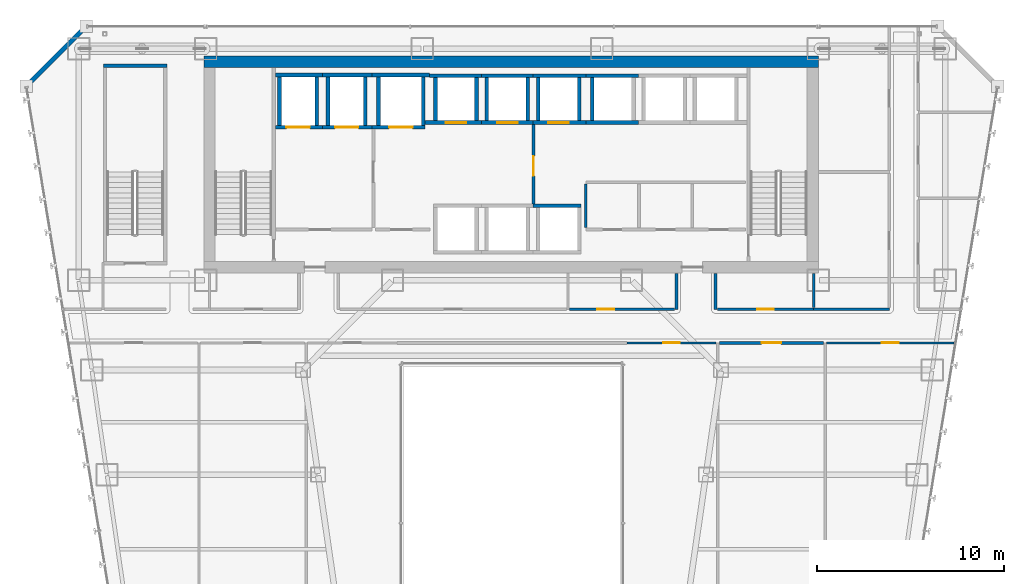
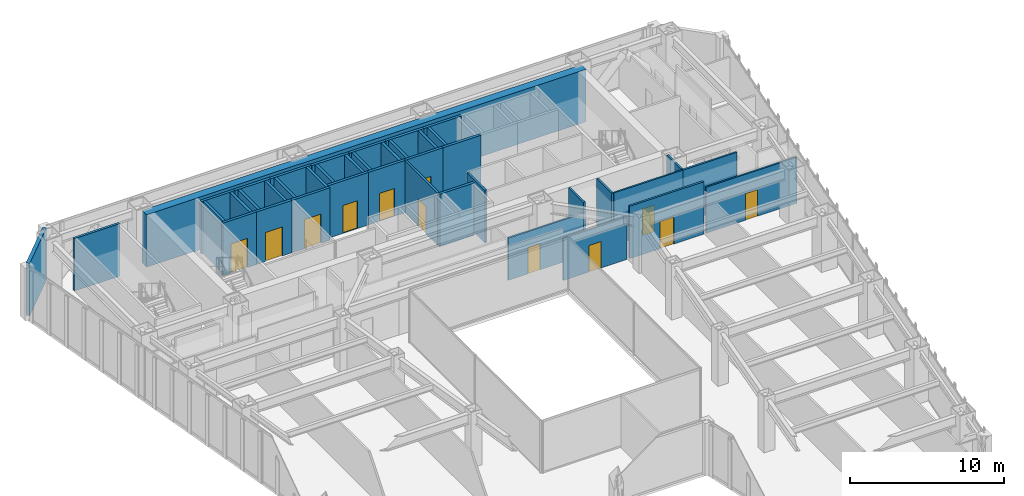
# One storey, part 37 of 49: 42 walls, 12 doors, 12 openings.
"""IFC4 building model written with IfcOpenShell, lengths in metres."""

from ifc_helpers import new_model, si_unit, direction, frame, frame_2d, origin, place, context, subcontext, project, spatial, rectangle, extrude, material, layer, layer_set, type_object, element, fill, save


model = new_model("IFC4")

# Units and contexts
model_context = context("Model", 3, precision=1e-05, world=origin(), true_north=direction((0.0, 1.0)))
body_context = subcontext(model_context, "Body", "Model", "MODEL_VIEW")
ifc_project = project(units=[si_unit("LENGTHUNIT", "METRE"), si_unit("AREAUNIT", "SQUARE_METRE"), si_unit("VOLUMEUNIT", "CUBIC_METRE"), si_unit("PLANEANGLEUNIT", "RADIAN"), si_unit("MASSUNIT", "GRAM", prefix="KILO")], contexts=[model_context])

# Site, building, storey
site_placement = place(None, origin())
site = spatial("IfcSite", under=ifc_project, at=site_placement, CompositionType="ELEMENT")
building_placement = place(site_placement, origin())
building = spatial("IfcBuilding", under=site, at=building_placement, Name="Saevonmaru Cultural Tower", CompositionType="ELEMENT")
storey_placement = place(building_placement, frame((0.0, 0.0, 73.60009765625)))
storey = spatial("IfcBuildingStorey", under=building, at=storey_placement, Name="L15", CompositionType="ELEMENT", Elevation=73.60009765625)

# Wall
ifc_material_1 = material(Name="Concrete C60/75", Category="concrete")
ifc_layer_1 = layer(ifc_material_1, 0.60009765625, Name="Concrete C60/75")
ifc_layer_set_1 = layer_set([ifc_layer_1], Name="Concrete C60/75")
wall_type_1 = type_object("IfcWallType", Name="WL-CORE-600", PredefinedType="SHEAR", material=ifc_layer_set_1)
wall_1_placement = place(storey_placement, frame((13.5, 54.10009765625, 0.0), z_axis=(0.0, 0.0, 1.0), x_axis=(1.0, 0.0, 0.0)))
element("IfcWall", 1, at=wall_1_placement, inside=storey, type_object=wall_type_1, Name="L15 Tower RC core shear wall N", PredefinedType="SHEAR", context=body_context, shape_type="SweptSolid", body=[
    extrude(rectangle(XDim=32.89990234375, YDim=0.60009765625, at=frame_2d((16.449951171875, 0.0))), origin(), (0.0, 0.0, 1.0), 4.14990234375),
])

# Wall, opening, door
ifc_material_2 = material(Name="Gypsum Fireboard Partition", Category="gypsum")
ifc_layer_2 = layer(ifc_material_2, 0.14990234375, Name="Gypsum Fireboard Partition")
ifc_layer_set_2 = layer_set([ifc_layer_2], Name="Gypsum Fireboard Partition")
wall_type_2 = type_object("IfcWallType", Name="WL-CORE-PART-150", PredefinedType="PARTITIONING", material=ifc_layer_set_2)
wall_2_placement = place(storey_placement, frame((31.14990234375, 46.5, 0.0), z_axis=(0.0, 0.0, 1.0), x_axis=(0.0, 1.0, 0.0)))
wall_2 = element("IfcWall", 2, at=wall_2_placement, inside=storey, type_object=wall_type_2, Name="L15 Lift Zone Baffle 1", PredefinedType="PARTITIONING", context=body_context, shape_type="SweptSolid", body=[
    extrude(rectangle(XDim=4.25, YDim=0.14990234375, at=frame_2d((2.125, 0.0))), origin(), (0.0, 0.0, 1.0), 4.14990234375),
])
opening_1_placement = place(wall_2_placement, frame((1.5, 0.0, 0.0)))
opening_1 = element("IfcOpeningElement", 3, at=opening_1_placement, cuts=wall_2, Name="Opening ID-1", PredefinedType="OPENING", context=body_context, shape_type="SweptSolid", body=[
    extrude(rectangle(XDim=1.050048828125, YDim=2.14990234375, at=frame_2d((0.52490234375, 1.074951171875))), frame((0.0, 0.0849609375, 0.0), z_axis=(0.0, -1.0, 0.0), x_axis=(1.0, 0.0, 0.0)), (0.0, 0.0, 1.0), 0.169921875),
])
ifc_material_3 = material(Name="Satin Bronze Anodised Aluminium", Category="aluminium")
door_type_1 = type_object("IfcDoorType", Name="DR-INT-1050", OperationType="SINGLE_SWING_LEFT", PredefinedType="DOOR", material=ifc_material_3)
door_1_placement = place(opening_1_placement, origin())
door_1 = element("IfcDoor", 4, at=door_1_placement, inside=storey, type_object=door_type_1, Name="L15 West-Mid Lobby Portal", OperationType="SINGLE_SWING_LEFT", OverallHeight=2.14990234375, OverallWidth=1.050048828125, PredefinedType="DOOR", context=body_context, shape_type="SweptSolid", body=[
    extrude(rectangle(XDim=1.050048828125, YDim=2.14990234375, at=frame_2d((0.52490234375, 1.074951171875))), frame((0.0, 0.02490234375, 0.0), z_axis=(0.0, -1.0, 0.0), x_axis=(1.0, 0.0, 0.0)), (0.0, 0.0, 1.0), 0.050048828125),
])
fill(opening_1, door_1)

# Walls
wall_3_placement = place(storey_placement, frame((33.949951171875, 45.219970703125, 0.0), z_axis=(0.0, 0.0, 1.0), x_axis=(0.0, 1.0, 0.0)))
element("IfcWall", 5, at=wall_3_placement, inside=storey, type_object=wall_type_2, Name="L15 Core Utility West Wall", PredefinedType="PARTITIONING", context=body_context, shape_type="SweptSolid", body=[
    extrude(rectangle(XDim=2.330078125, YDim=0.14990234375, at=frame_2d((1.1650390625, 0.0))), origin(), (0.0, 0.0, 1.0), 4.14990234375),
])
ifc_material_4 = material(Name="Granite-Clad Precast Concrete C40/50", Category="masonry")
ifc_layer_3 = layer(ifc_material_4, 0.260009765625, Name="Granite-Clad Precast Concrete C40/50")
ifc_layer_set_3 = layer_set([ifc_layer_3], Name="Granite-Clad Precast Concrete C40/50")
wall_type_3 = type_object("IfcWallType", Name="WL-EXT-SPANDREL-260", PredefinedType="STANDARD", material=ifc_layer_set_3)
wall_4_placement = place(storey_placement, frame((7.0869140625, 55.886962890625, 0.0), z_axis=(0.0, 0.0, 1.0), x_axis=(-0.707106781187, -0.707106781187, 0.0)))
element("IfcWall", 6, at=wall_4_placement, inside=storey, type_object=wall_type_3, Name="L15 Chamfer Corner Spandrel Wall E11", PredefinedType="STANDARD", context=body_context, shape_type="SweptSolid", body=[
    extrude(rectangle(XDim=4.205810546875, YDim=0.260009765625, at=frame_2d((2.10302734375, 0.0))), origin(), (0.0, 0.0, 1.0), 4.14990234375),
])
ifc_layer_4 = layer(ifc_material_2, 0.14990234375, Name="Gypsum Fireboard Partition")
ifc_layer_set_4 = layer_set([ifc_layer_4], Name="Gypsum Fireboard Partition")
wall_type_4 = type_object("IfcWallType", Name="WL-PART-FIRE-150", PredefinedType="PARTITIONING", material=ifc_layer_set_4)
for number, where, z_axis, x_axis, name in (
    (7, (38.800048828125, 40.85009765625, 0.0), (0.0, 0.0, 1.0), (0.0, 1.0, 0.0), "L15 Core Portal Side Wall E1"),
    (8, (40.89990234375, 40.85009765625, 0.0), (0.0, 0.0, 1.0), (0.0, 1.0, 0.0), "L15 Core Portal Side Wall E2"),
):
    element("IfcWall", number, at=place(storey_placement, frame(where, z_axis=z_axis, x_axis=x_axis)), inside=storey, type_object=wall_type_4, Name=name, PredefinedType="PARTITIONING", context=body_context, shape_type="SweptSolid", body=[
        extrude(rectangle(XDim=1.929931640625, YDim=0.14990234375, at=frame_2d((0.96484375, 0.0))), origin(), (0.0, 0.0, 1.0), 4.14990234375),
    ])

# Wall, opening, door
wall_5_placement = place(storey_placement, frame((41.107421875, 39.050048828125, 0.0), z_axis=(0.0, 0.0, 1.0), x_axis=(1.0, 0.0, 0.0)))
wall_5 = element("IfcWall", 9, at=wall_5_placement, inside=storey, type_object=wall_type_4, Name="L15 Sky Observatory Gallery Corridor Wall", PredefinedType="PARTITIONING", context=body_context, shape_type="SweptSolid", body=[
    extrude(rectangle(XDim=5.565185546875, YDim=0.14990234375, at=frame_2d((2.78271484375, 0.0))), origin(), (0.0, 0.0, 1.0), 4.14990234375),
])
opening_2_placement = place(wall_5_placement, frame((2.257080078125, 0.0, 0.0)))
opening_2 = element("IfcOpeningElement", 10, at=opening_2_placement, cuts=wall_5, Name="Opening ID-1", PredefinedType="OPENING", context=body_context, shape_type="SweptSolid", body=[
    extrude(rectangle(XDim=1.050048828125, YDim=2.14990234375, at=frame_2d((0.52490234375, 1.074951171875))), frame((0.0, 0.0849609375, 0.0), z_axis=(0.0, -1.0, 0.0), x_axis=(1.0, 0.0, 0.0)), (0.0, 0.0, 1.0), 0.169921875),
])
door_2_placement = place(opening_2_placement, origin())
door_2 = element("IfcDoor", 11, at=door_2_placement, inside=storey, type_object=door_type_1, Name="L15 Sky Observatory Gallery Door", OperationType="SINGLE_SWING_LEFT", OverallHeight=2.14990234375, OverallWidth=1.050048828125, PredefinedType="DOOR", context=body_context, shape_type="SweptSolid", body=[
    extrude(rectangle(XDim=1.050048828125, YDim=2.14990234375, at=frame_2d((0.52490234375, 1.074951171875))), frame((0.0, 0.02490234375, 0.0), z_axis=(0.0, -1.0, 0.0), x_axis=(1.0, 0.0, 0.0)), (0.0, 0.0, 1.0), 0.050048828125),
])
fill(opening_2, door_2)

ifc_layer_5 = layer(ifc_material_2, 0.1201171875, Name="Gypsum Fireboard Partition")
ifc_layer_set_5 = layer_set([ifc_layer_5], Name="Gypsum Fireboard Partition")
wall_type_5 = type_object("IfcWallType", Name="WL-PART-GYP-120", PredefinedType="PARTITIONING", material=ifc_layer_set_5)
wall_6_placement = place(storey_placement, frame((33.080078125, 40.85009765625, 0.0), z_axis=(0.0, 0.0, 1.0), x_axis=(1.0, 0.0, 0.0)))
wall_6 = element("IfcWall", 12, at=wall_6_placement, inside=storey, type_object=wall_type_5, Name="L15 Civic Policy Meeting Room Corridor Wall", PredefinedType="PARTITIONING", context=body_context, shape_type="SweptSolid", body=[
    extrude(rectangle(XDim=5.625, YDim=0.1201171875, at=frame_2d((2.8125, 0.0))), origin(), (0.0, 0.0, 1.0), 3.3349609375),
])
opening_3_placement = place(wall_6_placement, frame((1.48291015625, 0.0, 0.0)))
opening_3 = element("IfcOpeningElement", 13, at=opening_3_placement, cuts=wall_6, Name="Opening ID-2", PredefinedType="OPENING", context=body_context, shape_type="SweptSolid", body=[
    extrude(rectangle(XDim=0.89990234375, YDim=2.10009765625, at=frame_2d((0.449951171875, 1.050048828125))), frame((0.0, 0.070068359375, 0.0), z_axis=(0.0, -1.0, 0.0), x_axis=(1.0, 0.0, 0.0)), (0.0, 0.0, 1.0), 0.14013671875),
])
ifc_material_5 = material(Name="Acoustic Stained Oak Timber", Category="wood")
door_type_2 = type_object("IfcDoorType", Name="DR-INT-900", OperationType="SINGLE_SWING_RIGHT", PredefinedType="DOOR", material=ifc_material_5)
door_3_placement = place(opening_3_placement, origin())
door_3 = element("IfcDoor", 14, at=door_3_placement, inside=storey, type_object=door_type_2, Name="L15 Civic Policy Meeting Room Door", OperationType="SINGLE_SWING_LEFT", OverallHeight=2.10009765625, OverallWidth=0.89990234375, PredefinedType="DOOR", context=body_context, shape_type="SweptSolid", body=[
    extrude(rectangle(XDim=0.89990234375, YDim=2.10009765625, at=frame_2d((0.449951171875, 1.050048828125))), frame((0.0, 0.02490234375, 0.0), z_axis=(0.0, -1.0, 0.0), x_axis=(1.0, 0.0, 0.0)), (0.0, 0.0, 1.0), 0.050048828125),
])
fill(opening_3, door_3)

wall_7_placement = place(storey_placement, frame((40.9951171875, 40.85009765625, 0.0), z_axis=(0.0, 0.0, 1.0), x_axis=(1.0, 0.0, 0.0)))
wall_7 = element("IfcWall", 15, at=wall_7_placement, inside=storey, type_object=wall_type_5, Name="L15 Typography Design Classroom Corridor Wall", PredefinedType="PARTITIONING", context=body_context, shape_type="SweptSolid", body=[
    extrude(rectangle(XDim=5.15478515625, YDim=0.1201171875, at=frame_2d((2.577392578125, 0.0))), origin(), (0.0, 0.0, 1.0), 4.14990234375),
])
opening_4_placement = place(wall_7_placement, frame((2.1279296875, 0.0, 0.0)))
opening_4 = element("IfcOpeningElement", 16, at=opening_4_placement, cuts=wall_7, Name="Opening ID-2", PredefinedType="OPENING", context=body_context, shape_type="SweptSolid", body=[
    extrude(rectangle(XDim=0.89990234375, YDim=2.10009765625, at=frame_2d((0.449951171875, 1.050048828125))), frame((0.0, 0.070068359375, 0.0), z_axis=(0.0, -1.0, 0.0), x_axis=(1.0, 0.0, 0.0)), (0.0, 0.0, 1.0), 0.14013671875),
])
door_4_placement = place(opening_4_placement, origin())
door_4 = element("IfcDoor", 17, at=door_4_placement, inside=storey, type_object=door_type_2, Name="L15 Typography Design Classroom Door", OperationType="SINGLE_SWING_RIGHT", OverallHeight=2.10009765625, OverallWidth=0.89990234375, PredefinedType="DOOR", context=body_context, shape_type="SweptSolid", body=[
    extrude(rectangle(XDim=0.89990234375, YDim=2.10009765625, at=frame_2d((0.449951171875, 1.050048828125))), frame((0.0, 0.02490234375, 0.0), z_axis=(0.0, -1.0, 0.0), x_axis=(1.0, 0.0, 0.0)), (0.0, 0.0, 1.0), 0.050048828125),
])
fill(opening_4, door_4)

wall_8_placement = place(storey_placement, frame((36.14990234375, 39.050048828125, 0.0), z_axis=(0.0, 0.0, 1.0), x_axis=(1.0, 0.0, 0.0)))
wall_8 = element("IfcWall", 18, at=wall_8_placement, inside=storey, type_object=wall_type_5, Name="L15 Typography Design Classroom Corridor Wall", PredefinedType="PARTITIONING", context=body_context, shape_type="SweptSolid", body=[
    extrude(rectangle(XDim=4.78271484375, YDim=0.1201171875, at=frame_2d((2.391357421875, 0.0))), origin(), (0.0, 0.0, 1.0), 3.3349609375),
])
opening_5_placement = place(wall_8_placement, frame((1.94091796875, 0.0, 0.0)))
opening_5 = element("IfcOpeningElement", 19, at=opening_5_placement, cuts=wall_8, Name="Opening ID-2", PredefinedType="OPENING", context=body_context, shape_type="SweptSolid", body=[
    extrude(rectangle(XDim=0.89990234375, YDim=2.10009765625, at=frame_2d((0.449951171875, 1.050048828125))), frame((0.0, 0.070068359375, 0.0), z_axis=(0.0, -1.0, 0.0), x_axis=(1.0, 0.0, 0.0)), (0.0, 0.0, 1.0), 0.14013671875),
])
door_5_placement = place(opening_5_placement, origin())
door_5 = element("IfcDoor", 20, at=door_5_placement, inside=storey, type_object=door_type_2, Name="L15 Typography Design Classroom Door", OperationType="SINGLE_SWING_RIGHT", OverallHeight=2.10009765625, OverallWidth=0.89990234375, PredefinedType="DOOR", context=body_context, shape_type="SweptSolid", body=[
    extrude(rectangle(XDim=0.89990234375, YDim=2.10009765625, at=frame_2d((0.449951171875, 1.050048828125))), frame((0.0, 0.02490234375, 0.0), z_axis=(0.0, -1.0, 0.0), x_axis=(1.0, 0.0, 0.0)), (0.0, 0.0, 1.0), 0.050048828125),
])
fill(opening_5, door_5)

wall_9_placement = place(storey_placement, frame((46.847412109375, 39.050048828125, 0.0), z_axis=(0.0, 0.0, 1.0), x_axis=(1.0, 0.0, 0.0)))
wall_9 = element("IfcWall", 21, at=wall_9_placement, inside=storey, type_object=wall_type_5, Name="L15 Civic Policy Meeting Room Corridor Wall", PredefinedType="PARTITIONING", context=body_context, shape_type="SweptSolid", body=[
    extrude(rectangle(XDim=6.80419921875, YDim=0.1201171875, at=frame_2d((3.402099609375, 0.0))), origin(), (0.0, 0.0, 1.0), 3.635009765625),
])
opening_6_placement = place(wall_9_placement, frame((2.951904296875, 0.0, 0.0)))
opening_6 = element("IfcOpeningElement", 22, at=opening_6_placement, cuts=wall_9, Name="Opening ID-2", PredefinedType="OPENING", context=body_context, shape_type="SweptSolid", body=[
    extrude(rectangle(XDim=0.89990234375, YDim=2.10009765625, at=frame_2d((0.449951171875, 1.050048828125))), frame((0.0, 0.070068359375, 0.0), z_axis=(0.0, -1.0, 0.0), x_axis=(1.0, 0.0, 0.0)), (0.0, 0.0, 1.0), 0.14013671875),
])
door_6_placement = place(opening_6_placement, origin())
door_6 = element("IfcDoor", 23, at=door_6_placement, inside=storey, type_object=door_type_2, Name="L15 Civic Policy Meeting Room Door", OperationType="SINGLE_SWING_RIGHT", OverallHeight=2.10009765625, OverallWidth=0.89990234375, PredefinedType="DOOR", context=body_context, shape_type="SweptSolid", body=[
    extrude(rectangle(XDim=0.89990234375, YDim=2.10009765625, at=frame_2d((0.449951171875, 1.050048828125))), frame((0.0, 0.02490234375, 0.0), z_axis=(0.0, -1.0, 0.0), x_axis=(1.0, 0.0, 0.0)), (0.0, 0.0, 1.0), 0.050048828125),
])
fill(opening_6, door_6)

# Walls
ifc_layer_6 = layer(ifc_material_2, 0.139892578125, Name="Gypsum Fireboard Partition")
ifc_layer_set_6 = layer_set([ifc_layer_6], Name="Gypsum Fireboard Partition")
wall_type_6 = type_object("IfcWallType", Name="WL-PART-WET-140", PredefinedType="PARTITIONING", material=ifc_layer_set_6)
wall_10_placement = place(storey_placement, frame((46.14990234375, 40.85009765625, 0.0), z_axis=(0.0, 0.0, 1.0), x_axis=(1.0, 0.0, 0.0)))
element("IfcWall", 24, at=wall_10_placement, inside=storey, type_object=wall_type_6, Name="L15 Washroom South Wall", PredefinedType="PARTITIONING", context=body_context, shape_type="SweptSolid", body=[
    extrude(rectangle(XDim=4.050048828125, YDim=0.139892578125, at=frame_2d((2.02490234375, 0.0))), origin(), (0.0, 0.0, 1.0), 4.14990234375),
])
wall_11_placement = place(storey_placement, frame((46.14990234375, 40.93994140625, 0.0), z_axis=(0.0, 0.0, 1.0), x_axis=(0.0, 1.0, 0.0)))
element("IfcWall", 25, at=wall_11_placement, inside=storey, type_object=wall_type_6, Name="L15 Washroom South-West Return", PredefinedType="PARTITIONING", context=body_context, shape_type="SweptSolid", body=[
    extrude(rectangle(XDim=1.840087890625, YDim=0.139892578125, at=frame_2d((0.919921875, 0.0))), origin(), (0.0, 0.0, 1.0), 4.14990234375),
])

# Wall, opening, door
ifc_material_6 = material(Name="Concrete C40/50", Category="concrete")
ifc_layer_7 = layer(ifc_material_6, 0.199951171875, Name="Concrete C40/50")
ifc_layer_set_7 = layer_set([ifc_layer_7], Name="Concrete C40/50")
wall_type_7 = type_object("IfcWallType", Name="WL-SHAFT-200", PredefinedType="SHEAR", material=ifc_layer_set_7)
wall_12_placement = place(storey_placement, frame((17.330078125, 50.60009765625, 0.0), z_axis=(0.0, 0.0, 1.0), x_axis=(1.0, 0.0, 0.0)))
wall_12 = element("IfcWall", 26, at=wall_12_placement, inside=storey, type_object=wall_type_7, Name="L15 Lift FFL-1 Hoistway Wall S", PredefinedType="SHEAR", context=body_context, shape_type="SweptSolid", body=[
    extrude(rectangle(XDim=2.52001953125, YDim=0.199951171875, at=frame_2d((1.260009765625, 0.0))), origin(), (0.0, 0.0, 1.0), 4.14990234375),
])
opening_7_placement = place(wall_12_placement, frame((0.594970703125, 0.0, 0.0)))
opening_7 = element("IfcOpeningElement", 27, at=opening_7_placement, cuts=wall_12, Name="Opening LD-2", PredefinedType="OPENING", context=body_context, shape_type="SweptSolid", body=[
    extrude(rectangle(XDim=1.25, YDim=2.300048828125, at=frame_2d((0.625, 1.14990234375))), frame((0.0, 0.10986328125, 0.0), z_axis=(0.0, -1.0, 0.0), x_axis=(1.0, 0.0, 0.0)), (0.0, 0.0, 1.0), 0.219970703125),
])
ifc_material_7 = material(Name="Stainless Steel 316", Category="steel")
door_type_3 = type_object("IfcDoorType", Name="DR-LIFT-1250", OperationType="SLIDING_TO_LEFT", PredefinedType="DOOR", material=ifc_material_7)
door_7_placement = place(opening_7_placement, origin())
door_7 = element("IfcDoor", 28, at=door_7_placement, inside=storey, type_object=door_type_3, Name="L15 Lift FFL-1 Sliding Landing Door", OperationType="SLIDING_TO_LEFT", OverallHeight=2.300048828125, OverallWidth=1.25, PredefinedType="DOOR", context=body_context, shape_type="SweptSolid", body=[
    extrude(rectangle(XDim=1.25, YDim=2.300048828125, at=frame_2d((0.625, 1.14990234375))), frame((0.0, 0.02490234375, 0.0), z_axis=(0.0, -1.0, 0.0), x_axis=(1.0, 0.0, 0.0)), (0.0, 0.0, 1.0), 0.050048828125),
])
fill(opening_7, door_7)

# Walls
wall_13_placement = place(storey_placement, frame((17.330078125, 53.39990234375, 0.0), z_axis=(0.0, 0.0, 1.0), x_axis=(1.0, 0.0, 0.0)))
element("IfcWall", 29, at=wall_13_placement, inside=storey, type_object=wall_type_7, Name="L15 Lift FFL-1 Hoistway Wall N", PredefinedType="SHEAR", context=body_context, shape_type="SweptSolid", body=[
    extrude(rectangle(XDim=2.52001953125, YDim=0.199951171875, at=frame_2d((1.260009765625, 0.0))), origin(), (0.0, 0.0, 1.0), 4.14990234375),
])
for number, where, z_axis, x_axis, name in (
    (30, (17.550048828125, 50.699951171875, 0.0), (0.0, 0.0, 1.0), (0.0, 1.0, 0.0), "L15 Lift FFL-1 Hoistway Wall W"),
    (31, (19.550048828125, 50.699951171875, 0.0), (0.0, 0.0, 1.0), (0.0, 1.0, 0.0), "L15 Lift FFL-1 Hoistway Wall E"),
):
    element("IfcWall", number, at=place(storey_placement, frame(where, z_axis=z_axis, x_axis=x_axis)), inside=storey, type_object=wall_type_7, Name=name, PredefinedType="SHEAR", context=body_context, shape_type="SweptSolid", body=[
        extrude(rectangle(XDim=2.60009765625, YDim=0.199951171875, at=frame_2d((1.300048828125, 0.0))), origin(), (0.0, 0.0, 1.0), 4.14990234375),
    ])

# Wall, opening, door
wall_14_placement = place(storey_placement, frame((19.85009765625, 50.60009765625, 0.0), z_axis=(0.0, 0.0, 1.0), x_axis=(1.0, 0.0, 0.0)))
wall_14 = element("IfcWall", 32, at=wall_14_placement, inside=storey, type_object=wall_type_7, Name="L15 Lift FFL-2 Hoistway Wall S", PredefinedType="SHEAR", context=body_context, shape_type="SweptSolid", body=[
    extrude(rectangle(XDim=2.64990234375, YDim=0.199951171875, at=frame_2d((1.324951171875, 0.0))), origin(), (0.0, 0.0, 1.0), 4.14990234375),
])
opening_8_placement = place(wall_14_placement, frame((0.675048828125, 0.0, 0.0)))
opening_8 = element("IfcOpeningElement", 33, at=opening_8_placement, cuts=wall_14, Name="Opening LD-2", PredefinedType="OPENING", context=body_context, shape_type="SweptSolid", body=[
    extrude(rectangle(XDim=1.25, YDim=2.300048828125, at=frame_2d((0.625, 1.14990234375))), frame((0.0, 0.10986328125, 0.0), z_axis=(0.0, -1.0, 0.0), x_axis=(1.0, 0.0, 0.0)), (0.0, 0.0, 1.0), 0.219970703125),
])
door_8_placement = place(opening_8_placement, origin())
door_8 = element("IfcDoor", 34, at=door_8_placement, inside=storey, type_object=door_type_3, Name="L15 Lift FFL-2 Sliding Landing Door", OperationType="SLIDING_TO_LEFT", OverallHeight=2.300048828125, OverallWidth=1.25, PredefinedType="DOOR", context=body_context, shape_type="SweptSolid", body=[
    extrude(rectangle(XDim=1.25, YDim=2.300048828125, at=frame_2d((0.625, 1.14990234375))), frame((0.0, 0.02490234375, 0.0), z_axis=(0.0, -1.0, 0.0), x_axis=(1.0, 0.0, 0.0)), (0.0, 0.0, 1.0), 0.050048828125),
])
fill(opening_8, door_8)

# Walls
wall_15_placement = place(storey_placement, frame((19.85009765625, 53.39990234375, 0.0), z_axis=(0.0, 0.0, 1.0), x_axis=(1.0, 0.0, 0.0)))
element("IfcWall", 35, at=wall_15_placement, inside=storey, type_object=wall_type_7, Name="L15 Lift FFL-2 Hoistway Wall N", PredefinedType="SHEAR", context=body_context, shape_type="SweptSolid", body=[
    extrude(rectangle(XDim=2.64990234375, YDim=0.199951171875, at=frame_2d((1.324951171875, 0.0))), origin(), (0.0, 0.0, 1.0), 4.14990234375),
])
for number, where, z_axis, x_axis, name in (
    (36, (20.14990234375, 50.699951171875, 0.0), (0.0, 0.0, 1.0), (0.0, 1.0, 0.0), "L15 Lift FFL-2 Hoistway Wall W"),
    (37, (22.14990234375, 50.699951171875, 0.0), (0.0, 0.0, 1.0), (0.0, 1.0, 0.0), "L15 Lift FFL-2 Hoistway Wall E"),
):
    element("IfcWall", number, at=place(storey_placement, frame(where, z_axis=z_axis, x_axis=x_axis)), inside=storey, type_object=wall_type_7, Name=name, PredefinedType="SHEAR", context=body_context, shape_type="SweptSolid", body=[
        extrude(rectangle(XDim=2.60009765625, YDim=0.199951171875, at=frame_2d((1.300048828125, 0.0))), origin(), (0.0, 0.0, 1.0), 4.14990234375),
    ])

# Wall, opening, door
wall_16_placement = place(storey_placement, frame((22.5, 50.60009765625, 0.0), z_axis=(0.0, 0.0, 1.0), x_axis=(1.0, 0.0, 0.0)))
wall_16 = element("IfcWall", 38, at=wall_16_placement, inside=storey, type_object=wall_type_7, Name="L15 Lift GL-1 Hoistway Wall S", PredefinedType="SHEAR", context=body_context, shape_type="SweptSolid", body=[
    extrude(rectangle(XDim=2.85009765625, YDim=0.199951171875, at=frame_2d((1.425048828125, 0.0))), origin(), (0.0, 0.0, 1.0), 4.14990234375),
])
opening_9_placement = place(wall_16_placement, frame((0.925048828125, 0.0, 0.0)))
opening_9 = element("IfcOpeningElement", 39, at=opening_9_placement, cuts=wall_16, Name="Opening LD-2", PredefinedType="OPENING", context=body_context, shape_type="SweptSolid", body=[
    extrude(rectangle(XDim=1.25, YDim=2.300048828125, at=frame_2d((0.625, 1.14990234375))), frame((0.0, 0.10986328125, 0.0), z_axis=(0.0, -1.0, 0.0), x_axis=(1.0, 0.0, 0.0)), (0.0, 0.0, 1.0), 0.219970703125),
])
door_9_placement = place(opening_9_placement, origin())
door_9 = element("IfcDoor", 40, at=door_9_placement, inside=storey, type_object=door_type_3, Name="L15 Lift GL-1 Sliding Landing Door", OperationType="SLIDING_TO_LEFT", OverallHeight=2.300048828125, OverallWidth=1.25, PredefinedType="DOOR", context=body_context, shape_type="SweptSolid", body=[
    extrude(rectangle(XDim=1.25, YDim=2.300048828125, at=frame_2d((0.625, 1.14990234375))), frame((0.0, 0.02490234375, 0.0), z_axis=(0.0, -1.0, 0.0), x_axis=(1.0, 0.0, 0.0)), (0.0, 0.0, 1.0), 0.050048828125),
])
fill(opening_9, door_9)

# Walls
wall_17_placement = place(storey_placement, frame((22.5, 53.39990234375, 0.0), z_axis=(0.0, 0.0, 1.0), x_axis=(1.0, 0.0, 0.0)))
element("IfcWall", 41, at=wall_17_placement, inside=storey, type_object=wall_type_7, Name="L15 Lift GL-1 Hoistway Wall N", PredefinedType="SHEAR", context=body_context, shape_type="SweptSolid", body=[
    extrude(rectangle(XDim=3.074951171875, YDim=0.199951171875, at=frame_2d((1.53759765625, 0.0))), origin(), (0.0, 0.0, 1.0), 4.14990234375),
])
for number, where, z_axis, x_axis, name in (
    (42, (22.85009765625, 50.699951171875, 0.0), (0.0, 0.0, 1.0), (0.0, 1.0, 0.0), "L15 Lift GL-1 Hoistway Wall W"),
    (43, (25.25, 50.699951171875, 0.0), (0.0, 0.0, 1.0), (0.0, 1.0, 0.0), "L15 Lift GL-1 Hoistway Wall E"),
):
    element("IfcWall", number, at=place(storey_placement, frame(where, z_axis=z_axis, x_axis=x_axis)), inside=storey, type_object=wall_type_7, Name=name, PredefinedType="SHEAR", context=body_context, shape_type="SweptSolid", body=[
        extrude(rectangle(XDim=2.60009765625, YDim=0.199951171875, at=frame_2d((1.300048828125, 0.0))), origin(), (0.0, 0.0, 1.0), 4.14990234375),
    ])

# Wall, opening, door
wall_18_placement = place(storey_placement, frame((25.35009765625, 50.85009765625, 0.0), z_axis=(0.0, 0.0, 1.0), x_axis=(1.0, 0.0, 0.0)))
wall_18 = element("IfcWall", 44, at=wall_18_placement, inside=storey, type_object=wall_type_7, Name="L15 Lift PL-L1 Hoistway Wall S", PredefinedType="SHEAR", context=body_context, shape_type="SweptSolid", body=[
    extrude(rectangle(XDim=3.02490234375, YDim=0.199951171875, at=frame_2d((1.512451171875, 0.0))), origin(), (0.0, 0.0, 1.0), 4.14990234375),
])
opening_10_placement = place(wall_18_placement, frame((1.10009765625, 0.0, 0.0)))
opening_10 = element("IfcOpeningElement", 45, at=opening_10_placement, cuts=wall_18, Name="Opening LD-1", PredefinedType="OPENING", context=body_context, shape_type="SweptSolid", body=[
    extrude(rectangle(XDim=1.10009765625, YDim=2.199951171875, at=frame_2d((0.550048828125, 1.10009765625))), frame((0.0, 0.10986328125, 0.0), z_axis=(0.0, -1.0, 0.0), x_axis=(1.0, 0.0, 0.0)), (0.0, 0.0, 1.0), 0.219970703125),
])
ifc_material_8 = material(Name="Satin Bronze Stainless Steel", Category="steel")
door_type_4 = type_object("IfcDoorType", Name="DR-LIFT-1100", OperationType="SLIDING_TO_LEFT", PredefinedType="DOOR", material=ifc_material_8)
door_10_placement = place(opening_10_placement, origin())
door_10 = element("IfcDoor", 46, at=door_10_placement, inside=storey, type_object=door_type_4, Name="L15 Lift PL-L1 Sliding Landing Door", OperationType="SLIDING_TO_LEFT", OverallHeight=2.199951171875, OverallWidth=1.10009765625, PredefinedType="DOOR", context=body_context, shape_type="SweptSolid", body=[
    extrude(rectangle(XDim=1.10009765625, YDim=2.199951171875, at=frame_2d((0.550048828125, 1.10009765625))), frame((0.0, 0.02490234375, 0.0), z_axis=(0.0, -1.0, 0.0), x_axis=(1.0, 0.0, 0.0)), (0.0, 0.0, 1.0), 0.050048828125),
])
fill(opening_10, door_10)

# Walls
wall_19_placement = place(storey_placement, frame((25.574951171875, 53.35009765625, 0.0), z_axis=(0.0, 0.0, 1.0), x_axis=(1.0, 0.0, 0.0)))
element("IfcWall", 47, at=wall_19_placement, inside=storey, type_object=wall_type_7, Name="L15 Lift PL-L1 Hoistway Wall N", PredefinedType="SHEAR", context=body_context, shape_type="SweptSolid", body=[
    extrude(rectangle(XDim=2.800048828125, YDim=0.199951171875, at=frame_2d((1.39990234375, 0.0))), origin(), (0.0, 0.0, 1.0), 4.14990234375),
])
for number, where, z_axis, x_axis, name in (
    (48, (25.89990234375, 50.949951171875, 0.0), (0.0, 0.0, 1.0), (0.0, 1.0, 0.0), "L15 Lift PL-L1 Hoistway Wall W"),
    (49, (28.10009765625, 50.949951171875, 0.0), (0.0, 0.0, 1.0), (0.0, 1.0, 0.0), "L15 Lift PL-L1 Hoistway Wall E"),
):
    element("IfcWall", number, at=place(storey_placement, frame(where, z_axis=z_axis, x_axis=x_axis)), inside=storey, type_object=wall_type_7, Name=name, PredefinedType="SHEAR", context=body_context, shape_type="SweptSolid", body=[
        extrude(rectangle(XDim=2.300048828125, YDim=0.199951171875, at=frame_2d((1.14990234375, 0.0))), origin(), (0.0, 0.0, 1.0), 4.14990234375),
    ])

# Wall, opening, door
wall_20_placement = place(storey_placement, frame((28.375, 50.85009765625, 0.0), z_axis=(0.0, 0.0, 1.0), x_axis=(1.0, 0.0, 0.0)))
wall_20 = element("IfcWall", 50, at=wall_20_placement, inside=storey, type_object=wall_type_7, Name="L15 Lift PL-L2 Hoistway Wall S", PredefinedType="SHEAR", context=body_context, shape_type="SweptSolid", body=[
    extrude(rectangle(XDim=2.75, YDim=0.199951171875, at=frame_2d((1.375, 0.0))), origin(), (0.0, 0.0, 1.0), 4.14990234375),
])
opening_11_placement = place(wall_20_placement, frame((0.824951171875, 0.0, 0.0)))
opening_11 = element("IfcOpeningElement", 51, at=opening_11_placement, cuts=wall_20, Name="Opening LD-1", PredefinedType="OPENING", context=body_context, shape_type="SweptSolid", body=[
    extrude(rectangle(XDim=1.10009765625, YDim=2.199951171875, at=frame_2d((0.550048828125, 1.10009765625))), frame((0.0, 0.10986328125, 0.0), z_axis=(0.0, -1.0, 0.0), x_axis=(1.0, 0.0, 0.0)), (0.0, 0.0, 1.0), 0.219970703125),
])
door_11_placement = place(opening_11_placement, origin())
door_11 = element("IfcDoor", 52, at=door_11_placement, inside=storey, type_object=door_type_4, Name="L15 Lift PL-L2 Sliding Landing Door", OperationType="SLIDING_TO_LEFT", OverallHeight=2.199951171875, OverallWidth=1.10009765625, PredefinedType="DOOR", context=body_context, shape_type="SweptSolid", body=[
    extrude(rectangle(XDim=1.10009765625, YDim=2.199951171875, at=frame_2d((0.550048828125, 1.10009765625))), frame((0.0, 0.02490234375, 0.0), z_axis=(0.0, -1.0, 0.0), x_axis=(1.0, 0.0, 0.0)), (0.0, 0.0, 1.0), 0.050048828125),
])
fill(opening_11, door_11)

# Walls
wall_21_placement = place(storey_placement, frame((28.375, 53.35009765625, 0.0), z_axis=(0.0, 0.0, 1.0), x_axis=(1.0, 0.0, 0.0)))
element("IfcWall", 53, at=wall_21_placement, inside=storey, type_object=wall_type_7, Name="L15 Lift PL-L2 Hoistway Wall N", PredefinedType="SHEAR", context=body_context, shape_type="SweptSolid", body=[
    extrude(rectangle(XDim=2.75, YDim=0.199951171875, at=frame_2d((1.375, 0.0))), origin(), (0.0, 0.0, 1.0), 4.14990234375),
])
for number, where, z_axis, x_axis, name in (
    (54, (28.64990234375, 50.949951171875, 0.0), (0.0, 0.0, 1.0), (0.0, 1.0, 0.0), "L15 Lift PL-L2 Hoistway Wall W"),
    (55, (30.85009765625, 50.949951171875, 0.0), (0.0, 0.0, 1.0), (0.0, 1.0, 0.0), "L15 Lift PL-L2 Hoistway Wall E"),
):
    element("IfcWall", number, at=place(storey_placement, frame(where, z_axis=z_axis, x_axis=x_axis)), inside=storey, type_object=wall_type_7, Name=name, PredefinedType="SHEAR", context=body_context, shape_type="SweptSolid", body=[
        extrude(rectangle(XDim=2.300048828125, YDim=0.199951171875, at=frame_2d((1.14990234375, 0.0))), origin(), (0.0, 0.0, 1.0), 4.14990234375),
    ])

# Wall, opening, door
wall_22_placement = place(storey_placement, frame((31.125, 50.85009765625, 0.0), z_axis=(0.0, 0.0, 1.0), x_axis=(1.0, 0.0, 0.0)))
wall_22 = element("IfcWall", 56, at=wall_22_placement, inside=storey, type_object=wall_type_7, Name="L15 Lift PL-L3 Hoistway Wall S", PredefinedType="SHEAR", context=body_context, shape_type="SweptSolid", body=[
    extrude(rectangle(XDim=2.824951171875, YDim=0.199951171875, at=frame_2d((1.41259765625, 0.0))), origin(), (0.0, 0.0, 1.0), 4.14990234375),
])
opening_12_placement = place(wall_22_placement, frame((0.824951171875, 0.0, 0.0)))
opening_12 = element("IfcOpeningElement", 57, at=opening_12_placement, cuts=wall_22, Name="Opening LD-1", PredefinedType="OPENING", context=body_context, shape_type="SweptSolid", body=[
    extrude(rectangle(XDim=1.10009765625, YDim=2.199951171875, at=frame_2d((0.550048828125, 1.10009765625))), frame((0.0, 0.10986328125, 0.0), z_axis=(0.0, -1.0, 0.0), x_axis=(1.0, 0.0, 0.0)), (0.0, 0.0, 1.0), 0.219970703125),
])
door_12_placement = place(opening_12_placement, origin())
door_12 = element("IfcDoor", 58, at=door_12_placement, inside=storey, type_object=door_type_4, Name="L15 Lift PL-L3 Sliding Landing Door", OperationType="SLIDING_TO_LEFT", OverallHeight=2.199951171875, OverallWidth=1.10009765625, PredefinedType="DOOR", context=body_context, shape_type="SweptSolid", body=[
    extrude(rectangle(XDim=1.10009765625, YDim=2.199951171875, at=frame_2d((0.550048828125, 1.10009765625))), frame((0.0, 0.02490234375, 0.0), z_axis=(0.0, -1.0, 0.0), x_axis=(1.0, 0.0, 0.0)), (0.0, 0.0, 1.0), 0.050048828125),
])
fill(opening_12, door_12)

# Walls
wall_23_placement = place(storey_placement, frame((31.125, 53.35009765625, 0.0), z_axis=(0.0, 0.0, 1.0), x_axis=(1.0, 0.0, 0.0)))
element("IfcWall", 59, at=wall_23_placement, inside=storey, type_object=wall_type_7, Name="L15 Lift PL-L3 Hoistway Wall N", PredefinedType="SHEAR", context=body_context, shape_type="SweptSolid", body=[
    extrude(rectangle(XDim=2.824951171875, YDim=0.199951171875, at=frame_2d((1.41259765625, 0.0))), origin(), (0.0, 0.0, 1.0), 4.14990234375),
])
for number, where, z_axis, x_axis, name in (
    (60, (31.39990234375, 50.949951171875, 0.0), (0.0, 0.0, 1.0), (0.0, 1.0, 0.0), "L15 Lift PL-L3 Hoistway Wall W"),
    (61, (33.60009765625, 50.949951171875, 0.0), (0.0, 0.0, 1.0), (0.0, 1.0, 0.0), "L15 Lift PL-L3 Hoistway Wall E"),
):
    element("IfcWall", number, at=place(storey_placement, frame(where, z_axis=z_axis, x_axis=x_axis)), inside=storey, type_object=wall_type_7, Name=name, PredefinedType="SHEAR", context=body_context, shape_type="SweptSolid", body=[
        extrude(rectangle(XDim=2.300048828125, YDim=0.199951171875, at=frame_2d((1.14990234375, 0.0))), origin(), (0.0, 0.0, 1.0), 4.14990234375),
    ])
wall_24_placement = place(storey_placement, frame((31.125, 46.39990234375, 0.0), z_axis=(0.0, 0.0, 1.0), x_axis=(1.0, 0.0, 0.0)))
element("IfcWall", 62, at=wall_24_placement, inside=storey, type_object=wall_type_7, Name="L15 Lift PL-M3 Hoistway Wall N", PredefinedType="SHEAR", context=body_context, shape_type="SweptSolid", body=[
    extrude(rectangle(XDim=2.574951171875, YDim=0.199951171875, at=frame_2d((1.28759765625, 0.0))), origin(), (0.0, 0.0, 1.0), 4.14990234375),
])
for number, where, z_axis, x_axis, name in (
    (63, (33.949951171875, 50.85009765625, 0.0), (0.0, 0.0, 1.0), (1.0, 0.0, 0.0), "L15 Lift PL-H1 Hoistway Wall S"),
    (64, (33.949951171875, 53.35009765625, 0.0), (0.0, 0.0, 1.0), (1.0, 0.0, 0.0), "L15 Lift PL-H1 Hoistway Wall N"),
):
    element("IfcWall", number, at=place(storey_placement, frame(where, z_axis=z_axis, x_axis=x_axis)), inside=storey, type_object=wall_type_7, Name=name, PredefinedType="SHEAR", context=body_context, shape_type="SweptSolid", body=[
        extrude(rectangle(XDim=2.824951171875, YDim=0.199951171875, at=frame_2d((1.41259765625, 0.0))), origin(), (0.0, 0.0, 1.0), 4.14990234375),
    ])
wall_25_placement = place(storey_placement, frame((34.300048828125, 50.949951171875, 0.0), z_axis=(0.0, 0.0, 1.0), x_axis=(0.0, 1.0, 0.0)))
element("IfcWall", 65, at=wall_25_placement, inside=storey, type_object=wall_type_7, Name="L15 Lift PL-H1 Hoistway Wall W", PredefinedType="SHEAR", context=body_context, shape_type="SweptSolid", body=[
    extrude(rectangle(XDim=2.300048828125, YDim=0.199951171875, at=frame_2d((1.14990234375, 0.0))), origin(), (0.0, 0.0, 1.0), 4.14990234375),
])
ifc_layer_8 = layer(ifc_material_6, 0.179931640625, Name="Concrete C40/50")
ifc_layer_set_8 = layer_set([ifc_layer_8], Name="Concrete C40/50")
wall_type_8 = type_object("IfcWallType", Name="WL-STSHAFT-180", PredefinedType="SHEAR", material=ifc_layer_set_8)
wall_26_placement = place(storey_placement, frame((11.530029296875, 53.889892578125, 0.0), z_axis=(0.0, 0.0, 1.0), x_axis=(-1.0, 0.0, 0.0)))
element("IfcWall", 66, at=wall_26_placement, inside=storey, type_object=wall_type_8, Name="L15 Stair ST-3 Structural Shaft Wall 3", PredefinedType="SHEAR", context=body_context, shape_type="SweptSolid", body=[
    extrude(rectangle(XDim=3.409912109375, YDim=0.179931640625, at=frame_2d((1.705078125, 0.0))), origin(), (0.0, 0.0, 1.0), 4.14990234375),
])

save(model, "model.ifc")
